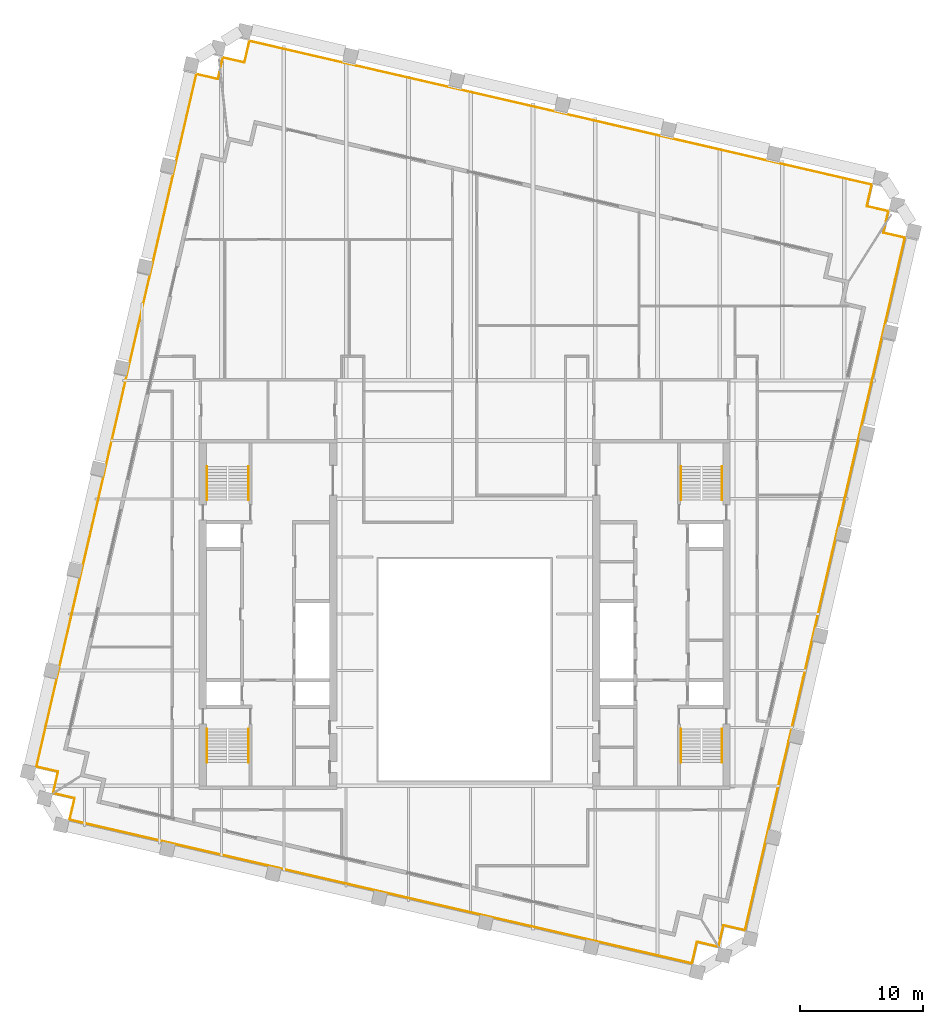
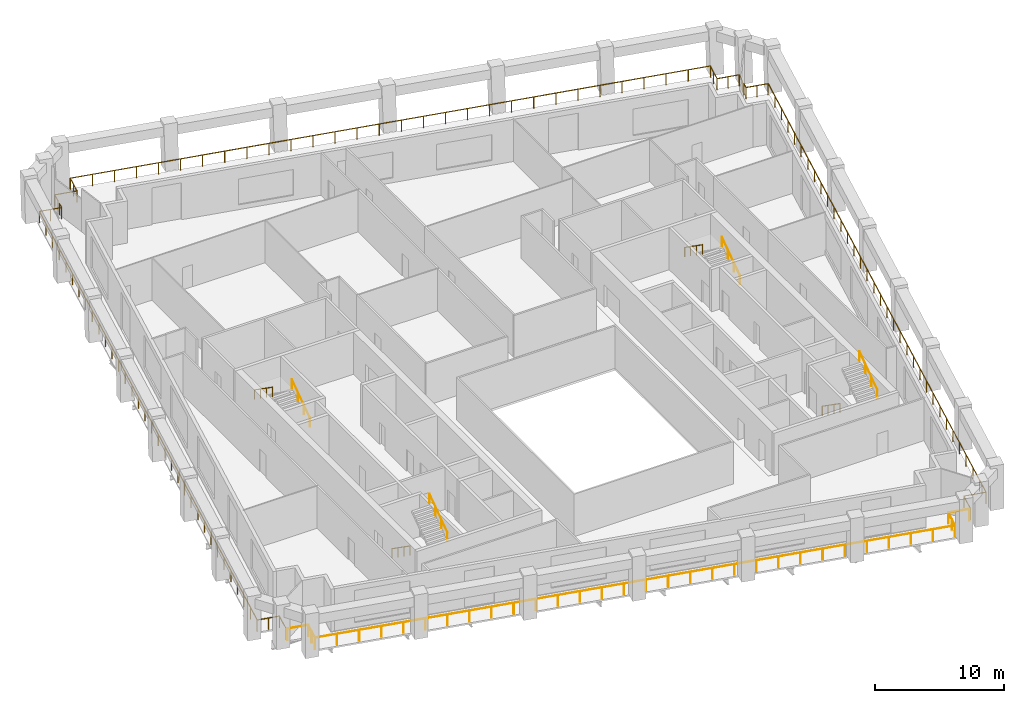
# One storey, part 9 of 9: 12 railings.
"""IFC4 building model written with IfcOpenShell, lengths in metres."""

from ifc_helpers import new_model, si_unit, direction, frame, origin, origin_2d, place, context, subcontext, project, spatial, circle, extrude, material, type_object, element, save


model = new_model("IFC4")

# Units and contexts
model_context = context("Model", 3, precision=1e-05, world=origin(), true_north=direction((0.0, 1.0)))
body_context = subcontext(model_context, "Body", "Model", "MODEL_VIEW")
ifc_project = project(units=[si_unit("LENGTHUNIT", "METRE"), si_unit("AREAUNIT", "SQUARE_METRE"), si_unit("VOLUMEUNIT", "CUBIC_METRE"), si_unit("PLANEANGLEUNIT", "RADIAN"), si_unit("MASSUNIT", "GRAM", prefix="KILO")], contexts=[model_context])

# Site, building, storey
site_placement = place(None, origin())
site = spatial("IfcSite", under=ifc_project, at=site_placement, CompositionType="ELEMENT")
building_placement = place(site_placement, origin())
building = spatial("IfcBuilding", under=site, at=building_placement, Name="Ogive Exchange Tower", CompositionType="ELEMENT")
storey_placement = place(building_placement, frame((0.0, 0.0, 285.0)))
storey = spatial("IfcBuildingStorey", under=building, at=storey_placement, Name="L62", CompositionType="ELEMENT", Elevation=285.0)

# Railings
ifc_material_1 = material(Name="Stainless steel 316", Category="steel")
railing_type_1 = type_object("IfcRailingType", Name="Guard 1100 stainless steel and glass", PredefinedType="GUARDRAIL", material=ifc_material_1)
railing_1_placement = place(storey_placement, frame((20.560546875, -15.527099609375, -0.050048828125)))
element("IfcRailing", 1, at=railing_1_placement, inside=storey, type_object=railing_type_1, Name="Loggia guard 1", PredefinedType="GUARDRAIL", context=body_context, shape_type="SweptSolid", body=[
    extrude(circle(Radius=0.02392578125, at=origin_2d()), frame((0.0, 0.0, 1.076171875), z_axis=(-0.974396013545, 0.224838628327, 0.0), x_axis=(-0.224838628327, -0.974396013545, 0.0)), (0.0, 0.0, 1.0), 1.7080078125),
    extrude(circle(Radius=0.02392578125, at=origin_2d()), frame((-1.664306640625, 0.384033203125, 1.076171875), z_axis=(-0.224879318197, -0.974386623598, 0.0), x_axis=(0.974386623598, -0.224879318197, 0.0)), (0.0, 0.0, 1.0), 1.800048828125),
    extrude(circle(Radius=0.02392578125, at=origin_2d()), frame((-2.069091796875, -1.369873046875, 1.076171875), z_axis=(-0.974370126852, 0.224950785504, 0.0), x_axis=(-0.224950785504, -0.974370126852, 0.0)), (0.0, 0.0, 1.0), 51.960205078125),
    extrude(circle(Radius=0.02392578125, at=origin_2d()), frame((-52.697509765625, 10.318603515625, 1.076171875), z_axis=(0.225008086135, 0.974356896201, 0.0), x_axis=(-0.974356896201, 0.225008086135, 0.0)), (0.0, 0.0, 1.0), 1.800048828125),
    extrude(circle(Radius=0.02392578125, at=origin_2d()), frame((-52.29248046875, 12.072509765625, 1.076171875), z_axis=(-0.974364690374, 0.224974332206, 0.0), x_axis=(-0.224974332206, -0.974364690374, 0.0)), (0.0, 0.0, 1.0), 1.7080078125),
    extrude(circle(Radius=0.02099609375, at=origin_2d()), origin(), (0.0, 0.0, 1.0), 1.052001953125),
    extrude(circle(Radius=0.02099609375, at=origin_2d()), frame((-1.664306640625, 0.384033203125, 0.0)), (0.0, 0.0, 1.0), 1.052001953125),
    extrude(circle(Radius=0.02099609375, at=origin_2d()), frame((-1.86669921875, -0.492919921875, 0.0)), (0.0, 0.0, 1.0), 1.052001953125),
    extrude(circle(Radius=0.02099609375, at=origin_2d()), frame((-2.069091796875, -1.369873046875, 0.0)), (0.0, 0.0, 1.0), 1.052001953125),
    extrude(circle(Radius=0.02099609375, at=origin_2d()), frame((-3.81494140625, -0.966796875, 0.0)), (0.0, 0.0, 1.0), 1.052001953125),
    extrude(circle(Radius=0.02099609375, at=origin_2d()), frame((-5.560791015625, -0.563720703125, 0.0)), (0.0, 0.0, 1.0), 1.052001953125),
    extrude(circle(Radius=0.02099609375, at=origin_2d()), frame((-7.306396484375, -0.16064453125, 0.0)), (0.0, 0.0, 1.0), 1.052001953125),
    extrude(circle(Radius=0.02099609375, at=origin_2d()), frame((-9.05224609375, 0.242431640625, 0.0)), (0.0, 0.0, 1.0), 1.052001953125),
    extrude(circle(Radius=0.02099609375, at=origin_2d()), frame((-10.798095703125, 0.645263671875, 0.0)), (0.0, 0.0, 1.0), 1.052001953125),
    extrude(circle(Radius=0.02099609375, at=origin_2d()), frame((-12.5439453125, 1.04833984375, 0.0)), (0.0, 0.0, 1.0), 1.052001953125),
    extrude(circle(Radius=0.02099609375, at=origin_2d()), frame((-14.289794921875, 1.451416015625, 0.0)), (0.0, 0.0, 1.0), 1.052001953125),
    extrude(circle(Radius=0.02099609375, at=origin_2d()), frame((-16.03564453125, 1.8544921875, 0.0)), (0.0, 0.0, 1.0), 1.052001953125),
    extrude(circle(Radius=0.02099609375, at=origin_2d()), frame((-17.78125, 2.257568359375, 0.0)), (0.0, 0.0, 1.0), 1.052001953125),
    extrude(circle(Radius=0.02099609375, at=origin_2d()), frame((-19.527099609375, 2.66064453125, 0.0)), (0.0, 0.0, 1.0), 1.052001953125),
    extrude(circle(Radius=0.02099609375, at=origin_2d()), frame((-21.27294921875, 3.063720703125, 0.0)), (0.0, 0.0, 1.0), 1.052001953125),
    extrude(circle(Radius=0.02099609375, at=origin_2d()), frame((-23.018798828125, 3.466796875, 0.0)), (0.0, 0.0, 1.0), 1.052001953125),
    extrude(circle(Radius=0.02099609375, at=origin_2d()), frame((-24.7646484375, 3.869873046875, 0.0)), (0.0, 0.0, 1.0), 1.052001953125),
    extrude(circle(Radius=0.02099609375, at=origin_2d()), frame((-26.510498046875, 4.27294921875, 0.0)), (0.0, 0.0, 1.0), 1.052001953125),
    extrude(circle(Radius=0.02099609375, at=origin_2d()), frame((-28.256103515625, 4.67578125, 0.0)), (0.0, 0.0, 1.0), 1.052001953125),
    extrude(circle(Radius=0.02099609375, at=origin_2d()), frame((-30.001953125, 5.078857421875, 0.0)), (0.0, 0.0, 1.0), 1.052001953125),
    extrude(circle(Radius=0.02099609375, at=origin_2d()), frame((-31.747802734375, 5.48193359375, 0.0)), (0.0, 0.0, 1.0), 1.052001953125),
    extrude(circle(Radius=0.02099609375, at=origin_2d()), frame((-33.49365234375, 5.885009765625, 0.0)), (0.0, 0.0, 1.0), 1.052001953125),
    extrude(circle(Radius=0.02099609375, at=origin_2d()), frame((-35.239501953125, 6.2880859375, 0.0)), (0.0, 0.0, 1.0), 1.052001953125),
    extrude(circle(Radius=0.02099609375, at=origin_2d()), frame((-36.9853515625, 6.691162109375, 0.0)), (0.0, 0.0, 1.0), 1.052001953125),
    extrude(circle(Radius=0.02099609375, at=origin_2d()), frame((-38.73095703125, 7.09423828125, 0.0)), (0.0, 0.0, 1.0), 1.052001953125),
    extrude(circle(Radius=0.02099609375, at=origin_2d()), frame((-40.476806640625, 7.497314453125, 0.0)), (0.0, 0.0, 1.0), 1.052001953125),
    extrude(circle(Radius=0.02099609375, at=origin_2d()), frame((-42.22265625, 7.900390625, 0.0)), (0.0, 0.0, 1.0), 1.052001953125),
    extrude(circle(Radius=0.02099609375, at=origin_2d()), frame((-43.968505859375, 8.303466796875, 0.0)), (0.0, 0.0, 1.0), 1.052001953125),
    extrude(circle(Radius=0.02099609375, at=origin_2d()), frame((-45.71435546875, 8.706298828125, 0.0)), (0.0, 0.0, 1.0), 1.052001953125),
    extrude(circle(Radius=0.02099609375, at=origin_2d()), frame((-47.460205078125, 9.109375, 0.0)), (0.0, 0.0, 1.0), 1.052001953125),
    extrude(circle(Radius=0.02099609375, at=origin_2d()), frame((-49.205810546875, 9.512451171875, 0.0)), (0.0, 0.0, 1.0), 1.052001953125),
    extrude(circle(Radius=0.02099609375, at=origin_2d()), frame((-50.95166015625, 9.91552734375, 0.0)), (0.0, 0.0, 1.0), 1.052001953125),
    extrude(circle(Radius=0.02099609375, at=origin_2d()), frame((-52.697509765625, 10.318603515625, 0.0)), (0.0, 0.0, 1.0), 1.052001953125),
    extrude(circle(Radius=0.02099609375, at=origin_2d()), frame((-52.4951171875, 11.195556640625, 0.0)), (0.0, 0.0, 1.0), 1.052001953125),
    extrude(circle(Radius=0.02099609375, at=origin_2d()), frame((-52.29248046875, 12.072509765625, 0.0)), (0.0, 0.0, 1.0), 1.052001953125),
    extrude(circle(Radius=0.02099609375, at=origin_2d()), frame((-53.956787109375, 12.456787109375, 0.0)), (0.0, 0.0, 1.0), 1.052001953125),
])
railing_2_placement = place(storey_placement, frame((-33.465087890625, -2.960205078125, -0.050048828125)))
element("IfcRailing", 2, at=railing_2_placement, inside=storey, type_object=railing_type_1, Name="Loggia guard 2", PredefinedType="GUARDRAIL", context=body_context, shape_type="SweptSolid", body=[
    extrude(circle(Radius=0.02392578125, at=origin_2d()), frame((0.0, 0.0, 1.076171875), z_axis=(0.224974332206, 0.974364690374, 0.0), x_axis=(-0.974364690374, 0.224974332206, 0.0)), (0.0, 0.0, 1.0), 1.7080078125),
    extrude(circle(Radius=0.02392578125, at=origin_2d()), frame((0.38427734375, 1.664306640625, 1.076171875), z_axis=(-0.974356896201, 0.225008086135, 0.0), x_axis=(-0.225008086135, -0.974356896201, 0.0)), (0.0, 0.0, 1.0), 1.800048828125),
    extrude(circle(Radius=0.02392578125, at=origin_2d()), frame((-1.36962890625, 2.0693359375, 1.076171875), z_axis=(0.224948621949, 0.974370626345, 0.0), x_axis=(-0.974370626345, 0.224948621949, 0.0)), (0.0, 0.0, 1.0), 57.823486328125),
    extrude(circle(Radius=0.02392578125, at=origin_2d()), frame((11.6376953125, 58.410888671875, 1.076171875), z_axis=(0.974386623598, -0.224879318197, 0.0), x_axis=(0.224879318197, 0.974386623598, 0.0)), (0.0, 0.0, 1.0), 1.800048828125),
    extrude(circle(Radius=0.02392578125, at=origin_2d()), frame((13.3916015625, 58.006103515625, 1.076171875), z_axis=(0.225141375738, 0.97432610605, 0.0), x_axis=(-0.97432610605, 0.225141375738, 0.0)), (0.0, 0.0, 1.0), 0.5693359375),
    extrude(circle(Radius=0.02099609375, at=origin_2d()), origin(), (0.0, 0.0, 1.0), 1.052001953125),
    extrude(circle(Radius=0.02099609375, at=origin_2d()), frame((0.38427734375, 1.664306640625, 0.0)), (0.0, 0.0, 1.0), 1.052001953125),
    extrude(circle(Radius=0.02099609375, at=origin_2d()), frame((-0.49267578125, 1.86669921875, 0.0)), (0.0, 0.0, 1.0), 1.052001953125),
    extrude(circle(Radius=0.02099609375, at=origin_2d()), frame((-1.36962890625, 2.0693359375, 0.0)), (0.0, 0.0, 1.0), 1.052001953125),
    extrude(circle(Radius=0.02099609375, at=origin_2d()), frame((-0.9755859375, 3.776611328125, 0.0)), (0.0, 0.0, 1.0), 1.052001953125),
    extrude(circle(Radius=0.02099609375, at=origin_2d()), frame((-0.581298828125, 5.48388671875, 0.0)), (0.0, 0.0, 1.0), 1.052001953125),
    extrude(circle(Radius=0.02099609375, at=origin_2d()), frame((-0.187255859375, 7.19140625, 0.0)), (0.0, 0.0, 1.0), 1.052001953125),
    extrude(circle(Radius=0.02099609375, at=origin_2d()), frame((0.20703125, 8.898681640625, 0.0)), (0.0, 0.0, 1.0), 1.052001953125),
    extrude(circle(Radius=0.02099609375, at=origin_2d()), frame((0.60107421875, 10.60595703125, 0.0)), (0.0, 0.0, 1.0), 1.052001953125),
    extrude(circle(Radius=0.02099609375, at=origin_2d()), frame((0.995361328125, 12.313232421875, 0.0)), (0.0, 0.0, 1.0), 1.052001953125),
    extrude(circle(Radius=0.02099609375, at=origin_2d()), frame((1.389404296875, 14.0205078125, 0.0)), (0.0, 0.0, 1.0), 1.052001953125),
    extrude(circle(Radius=0.02099609375, at=origin_2d()), frame((1.78369140625, 15.727783203125, 0.0)), (0.0, 0.0, 1.0), 1.052001953125),
    extrude(circle(Radius=0.02099609375, at=origin_2d()), frame((2.177734375, 17.435302734375, 0.0)), (0.0, 0.0, 1.0), 1.052001953125),
    extrude(circle(Radius=0.02099609375, at=origin_2d()), frame((2.572021484375, 19.142578125, 0.0)), (0.0, 0.0, 1.0), 1.052001953125),
    extrude(circle(Radius=0.02099609375, at=origin_2d()), frame((2.966064453125, 20.849853515625, 0.0)), (0.0, 0.0, 1.0), 1.052001953125),
    extrude(circle(Radius=0.02099609375, at=origin_2d()), frame((3.3603515625, 22.55712890625, 0.0)), (0.0, 0.0, 1.0), 1.052001953125),
    extrude(circle(Radius=0.02099609375, at=origin_2d()), frame((3.75439453125, 24.264404296875, 0.0)), (0.0, 0.0, 1.0), 1.052001953125),
    extrude(circle(Radius=0.02099609375, at=origin_2d()), frame((4.148681640625, 25.971923828125, 0.0)), (0.0, 0.0, 1.0), 1.052001953125),
    extrude(circle(Radius=0.02099609375, at=origin_2d()), frame((4.542724609375, 27.67919921875, 0.0)), (0.0, 0.0, 1.0), 1.052001953125),
    extrude(circle(Radius=0.02099609375, at=origin_2d()), frame((4.93701171875, 29.386474609375, 0.0)), (0.0, 0.0, 1.0), 1.052001953125),
    extrude(circle(Radius=0.02099609375, at=origin_2d()), frame((5.3310546875, 31.09375, 0.0)), (0.0, 0.0, 1.0), 1.052001953125),
    extrude(circle(Radius=0.02099609375, at=origin_2d()), frame((5.725341796875, 32.801025390625, 0.0)), (0.0, 0.0, 1.0), 1.052001953125),
    extrude(circle(Radius=0.02099609375, at=origin_2d()), frame((6.119384765625, 34.50830078125, 0.0)), (0.0, 0.0, 1.0), 1.052001953125),
    extrude(circle(Radius=0.02099609375, at=origin_2d()), frame((6.513671875, 36.2158203125, 0.0)), (0.0, 0.0, 1.0), 1.052001953125),
    extrude(circle(Radius=0.02099609375, at=origin_2d()), frame((6.90771484375, 37.923095703125, 0.0)), (0.0, 0.0, 1.0), 1.052001953125),
    extrude(circle(Radius=0.02099609375, at=origin_2d()), frame((7.302001953125, 39.63037109375, 0.0)), (0.0, 0.0, 1.0), 1.052001953125),
    extrude(circle(Radius=0.02099609375, at=origin_2d()), frame((7.696044921875, 41.337646484375, 0.0)), (0.0, 0.0, 1.0), 1.052001953125),
    extrude(circle(Radius=0.02099609375, at=origin_2d()), frame((8.09033203125, 43.044921875, 0.0)), (0.0, 0.0, 1.0), 1.052001953125),
    extrude(circle(Radius=0.02099609375, at=origin_2d()), frame((8.484375, 44.75244140625, 0.0)), (0.0, 0.0, 1.0), 1.052001953125),
    extrude(circle(Radius=0.02099609375, at=origin_2d()), frame((8.878662109375, 46.459716796875, 0.0)), (0.0, 0.0, 1.0), 1.052001953125),
    extrude(circle(Radius=0.02099609375, at=origin_2d()), frame((9.272705078125, 48.1669921875, 0.0)), (0.0, 0.0, 1.0), 1.052001953125),
    extrude(circle(Radius=0.02099609375, at=origin_2d()), frame((9.6669921875, 49.874267578125, 0.0)), (0.0, 0.0, 1.0), 1.052001953125),
    extrude(circle(Radius=0.02099609375, at=origin_2d()), frame((10.06103515625, 51.58154296875, 0.0)), (0.0, 0.0, 1.0), 1.052001953125),
    extrude(circle(Radius=0.02099609375, at=origin_2d()), frame((10.455322265625, 53.288818359375, 0.0)), (0.0, 0.0, 1.0), 1.052001953125),
    extrude(circle(Radius=0.02099609375, at=origin_2d()), frame((10.849365234375, 54.996337890625, 0.0)), (0.0, 0.0, 1.0), 1.052001953125),
    extrude(circle(Radius=0.02099609375, at=origin_2d()), frame((11.24365234375, 56.70361328125, 0.0)), (0.0, 0.0, 1.0), 1.052001953125),
    extrude(circle(Radius=0.02099609375, at=origin_2d()), frame((11.6376953125, 58.410888671875, 0.0)), (0.0, 0.0, 1.0), 1.052001953125),
    extrude(circle(Radius=0.02099609375, at=origin_2d()), frame((12.5146484375, 58.20849609375, 0.0)), (0.0, 0.0, 1.0), 1.052001953125),
    extrude(circle(Radius=0.02099609375, at=origin_2d()), frame((13.3916015625, 58.006103515625, 0.0)), (0.0, 0.0, 1.0), 1.052001953125),
    extrude(circle(Radius=0.02099609375, at=origin_2d()), frame((13.519775390625, 58.560791015625, 0.0)), (0.0, 0.0, 1.0), 1.052001953125),
])
railing_3_placement = place(storey_placement, frame((-19.85791015625, 55.979248046875, -0.050048828125)))
element("IfcRailing", 3, at=railing_3_placement, inside=storey, type_object=railing_type_1, Name="Loggia guard 3", PredefinedType="GUARDRAIL", context=body_context, shape_type="SweptSolid", body=[
    extrude(circle(Radius=0.02392578125, at=origin_2d()), frame((0.0, 0.0, 1.076171875), z_axis=(0.224965369128, 0.974366759846, 0.0), x_axis=(-0.974366759846, 0.224965369128, 0.0)), (0.0, 0.0, 1.0), 0.842041015625),
    extrude(circle(Radius=0.02392578125, at=origin_2d()), frame((0.189453125, 0.820556640625, 1.076171875), z_axis=(0.974350028141, -0.22503782496, 0.0), x_axis=(0.22503782496, 0.974350028141, 0.0)), (0.0, 0.0, 1.0), 1.7998046875),
    extrude(circle(Radius=0.02392578125, at=origin_2d()), frame((1.943115234375, 0.41552734375, 1.076171875), z_axis=(0.225008086135, 0.974356896201, 0.0), x_axis=(-0.974356896201, 0.225008086135, 0.0)), (0.0, 0.0, 1.0), 1.800048828125),
    extrude(circle(Radius=0.02392578125, at=origin_2d()), frame((2.34814453125, 2.16943359375, 1.076171875), z_axis=(0.974369889087, -0.224951815376, 0.0), x_axis=(0.224951815376, 0.974369889087, 0.0)), (0.0, 0.0, 1.0), 51.9599609375),
    extrude(circle(Radius=0.02392578125, at=origin_2d()), frame((52.976318359375, -9.51904296875, 1.076171875), z_axis=(-0.224879318197, -0.974386623598, 0.0), x_axis=(0.974386623598, -0.224879318197, 0.0)), (0.0, 0.0, 1.0), 1.800048828125),
    extrude(circle(Radius=0.02392578125, at=origin_2d()), frame((52.571533203125, -11.27294921875, 1.076171875), z_axis=(0.974386623598, -0.224879318197, 0.0), x_axis=(0.224879318197, 0.974386623598, 0.0)), (0.0, 0.0, 1.0), 1.800048828125),
    extrude(circle(Radius=0.02392578125, at=origin_2d()), frame((54.325439453125, -11.677734375, 1.076171875), z_axis=(-0.224965369128, -0.974366759846, 0.0), x_axis=(0.974366759846, -0.224965369128, 0.0)), (0.0, 0.0, 1.0), 0.842041015625),
    extrude(circle(Radius=0.02099609375, at=origin_2d()), origin(), (0.0, 0.0, 1.0), 1.052001953125),
    extrude(circle(Radius=0.02099609375, at=origin_2d()), frame((0.189453125, 0.820556640625, 0.0)), (0.0, 0.0, 1.0), 1.052001953125),
    extrude(circle(Radius=0.02099609375, at=origin_2d()), frame((1.943115234375, 0.41552734375, 0.0)), (0.0, 0.0, 1.0), 1.052001953125),
    extrude(circle(Radius=0.02099609375, at=origin_2d()), frame((2.1455078125, 1.29248046875, 0.0)), (0.0, 0.0, 1.0), 1.052001953125),
    extrude(circle(Radius=0.02099609375, at=origin_2d()), frame((2.34814453125, 2.16943359375, 0.0)), (0.0, 0.0, 1.0), 1.052001953125),
    extrude(circle(Radius=0.02099609375, at=origin_2d()), frame((4.093994140625, 1.766357421875, 0.0)), (0.0, 0.0, 1.0), 1.052001953125),
    extrude(circle(Radius=0.02099609375, at=origin_2d()), frame((5.83984375, 1.36328125, 0.0)), (0.0, 0.0, 1.0), 1.052001953125),
    extrude(circle(Radius=0.02099609375, at=origin_2d()), frame((7.58544921875, 0.960205078125, 0.0)), (0.0, 0.0, 1.0), 1.052001953125),
    extrude(circle(Radius=0.02099609375, at=origin_2d()), frame((9.331298828125, 0.55712890625, 0.0)), (0.0, 0.0, 1.0), 1.052001953125),
    extrude(circle(Radius=0.02099609375, at=origin_2d()), frame((11.0771484375, 0.154296875, 0.0)), (0.0, 0.0, 1.0), 1.052001953125),
    extrude(circle(Radius=0.02099609375, at=origin_2d()), frame((12.822998046875, -0.248779296875, 0.0)), (0.0, 0.0, 1.0), 1.052001953125),
    extrude(circle(Radius=0.02099609375, at=origin_2d()), frame((14.56884765625, -0.65185546875, 0.0)), (0.0, 0.0, 1.0), 1.052001953125),
    extrude(circle(Radius=0.02099609375, at=origin_2d()), frame((16.314453125, -1.054931640625, 0.0)), (0.0, 0.0, 1.0), 1.052001953125),
    extrude(circle(Radius=0.02099609375, at=origin_2d()), frame((18.060302734375, -1.4580078125, 0.0)), (0.0, 0.0, 1.0), 1.052001953125),
    extrude(circle(Radius=0.02099609375, at=origin_2d()), frame((19.80615234375, -1.861083984375, 0.0)), (0.0, 0.0, 1.0), 1.052001953125),
    extrude(circle(Radius=0.02099609375, at=origin_2d()), frame((21.552001953125, -2.26416015625, 0.0)), (0.0, 0.0, 1.0), 1.052001953125),
    extrude(circle(Radius=0.02099609375, at=origin_2d()), frame((23.2978515625, -2.667236328125, 0.0)), (0.0, 0.0, 1.0), 1.052001953125),
    extrude(circle(Radius=0.02099609375, at=origin_2d()), frame((25.04345703125, -3.0703125, 0.0)), (0.0, 0.0, 1.0), 1.052001953125),
    extrude(circle(Radius=0.02099609375, at=origin_2d()), frame((26.789306640625, -3.473388671875, 0.0)), (0.0, 0.0, 1.0), 1.052001953125),
    extrude(circle(Radius=0.02099609375, at=origin_2d()), frame((28.53515625, -3.876220703125, 0.0)), (0.0, 0.0, 1.0), 1.052001953125),
    extrude(circle(Radius=0.02099609375, at=origin_2d()), frame((30.281005859375, -4.279296875, 0.0)), (0.0, 0.0, 1.0), 1.052001953125),
    extrude(circle(Radius=0.02099609375, at=origin_2d()), frame((32.026611328125, -4.682373046875, 0.0)), (0.0, 0.0, 1.0), 1.052001953125),
    extrude(circle(Radius=0.02099609375, at=origin_2d()), frame((33.7724609375, -5.08544921875, 0.0)), (0.0, 0.0, 1.0), 1.052001953125),
    extrude(circle(Radius=0.02099609375, at=origin_2d()), frame((35.518310546875, -5.488525390625, 0.0)), (0.0, 0.0, 1.0), 1.052001953125),
    extrude(circle(Radius=0.02099609375, at=origin_2d()), frame((37.26416015625, -5.8916015625, 0.0)), (0.0, 0.0, 1.0), 1.052001953125),
    extrude(circle(Radius=0.02099609375, at=origin_2d()), frame((39.010009765625, -6.294677734375, 0.0)), (0.0, 0.0, 1.0), 1.052001953125),
    extrude(circle(Radius=0.02099609375, at=origin_2d()), frame((40.755615234375, -6.69775390625, 0.0)), (0.0, 0.0, 1.0), 1.052001953125),
    extrude(circle(Radius=0.02099609375, at=origin_2d()), frame((42.50146484375, -7.100830078125, 0.0)), (0.0, 0.0, 1.0), 1.052001953125),
    extrude(circle(Radius=0.02099609375, at=origin_2d()), frame((44.247314453125, -7.50390625, 0.0)), (0.0, 0.0, 1.0), 1.052001953125),
    extrude(circle(Radius=0.02099609375, at=origin_2d()), frame((45.9931640625, -7.90673828125, 0.0)), (0.0, 0.0, 1.0), 1.052001953125),
    extrude(circle(Radius=0.02099609375, at=origin_2d()), frame((47.739013671875, -8.309814453125, 0.0)), (0.0, 0.0, 1.0), 1.052001953125),
    extrude(circle(Radius=0.02099609375, at=origin_2d()), frame((49.484619140625, -8.712890625, 0.0)), (0.0, 0.0, 1.0), 1.052001953125),
    extrude(circle(Radius=0.02099609375, at=origin_2d()), frame((51.23046875, -9.115966796875, 0.0)), (0.0, 0.0, 1.0), 1.052001953125),
    extrude(circle(Radius=0.02099609375, at=origin_2d()), frame((52.976318359375, -9.51904296875, 0.0)), (0.0, 0.0, 1.0), 1.052001953125),
    extrude(circle(Radius=0.02099609375, at=origin_2d()), frame((52.77392578125, -10.39599609375, 0.0)), (0.0, 0.0, 1.0), 1.052001953125),
    extrude(circle(Radius=0.02099609375, at=origin_2d()), frame((52.571533203125, -11.27294921875, 0.0)), (0.0, 0.0, 1.0), 1.052001953125),
    extrude(circle(Radius=0.02099609375, at=origin_2d()), frame((53.448486328125, -11.475341796875, 0.0)), (0.0, 0.0, 1.0), 1.052001953125),
    extrude(circle(Radius=0.02099609375, at=origin_2d()), frame((54.325439453125, -11.677734375, 0.0)), (0.0, 0.0, 1.0), 1.052001953125),
    extrude(circle(Radius=0.02099609375, at=origin_2d()), frame((54.135986328125, -12.498291015625, 0.0)), (0.0, 0.0, 1.0), 1.052001953125),
])
railing_4_placement = place(storey_placement, frame((34.190673828125, 43.102294921875, -0.050048828125)))
element("IfcRailing", 4, at=railing_4_placement, inside=storey, type_object=railing_type_1, Name="Loggia guard 4", PredefinedType="GUARDRAIL", context=body_context, shape_type="SweptSolid", body=[
    extrude(circle(Radius=0.02392578125, at=origin_2d()), frame((0.0, 0.0, 1.076171875), z_axis=(-0.225141375738, -0.97432610605, 0.0), x_axis=(0.97432610605, -0.225141375738, 0.0)), (0.0, 0.0, 1.0), 0.5693359375),
    extrude(circle(Radius=0.02392578125, at=origin_2d()), frame((-0.128173828125, -0.5546875, 1.076171875), z_axis=(0.974356896201, -0.225008086135, 0.0), x_axis=(0.225008086135, 0.974356896201, 0.0)), (0.0, 0.0, 1.0), 1.800048828125),
    extrude(circle(Radius=0.02392578125, at=origin_2d()), frame((1.625732421875, -0.959716796875, 1.076171875), z_axis=(-0.224952630461, -0.974369700909, 0.0), x_axis=(0.974369700909, -0.224952630461, 0.0)), (0.0, 0.0, 1.0), 57.823486328125),
    extrude(circle(Radius=0.02392578125, at=origin_2d()), frame((-11.3818359375, -57.30126953125, 1.076171875), z_axis=(-0.974379763188, 0.224909041816, 0.0), x_axis=(-0.224909041816, -0.974379763188, 0.0)), (0.0, 0.0, 1.0), 1.7998046875),
    extrude(circle(Radius=0.02392578125, at=origin_2d()), frame((-13.135498046875, -56.896484375, 1.076171875), z_axis=(-0.224974332206, -0.974364690374, 0.0), x_axis=(0.974364690374, -0.224974332206, 0.0)), (0.0, 0.0, 1.0), 1.7080078125),
    extrude(circle(Radius=0.02099609375, at=origin_2d()), origin(), (0.0, 0.0, 1.0), 1.052001953125),
    extrude(circle(Radius=0.02099609375, at=origin_2d()), frame((-0.128173828125, -0.5546875, 0.0)), (0.0, 0.0, 1.0), 1.052001953125),
    extrude(circle(Radius=0.02099609375, at=origin_2d()), frame((0.748779296875, -0.75732421875, 0.0)), (0.0, 0.0, 1.0), 1.052001953125),
    extrude(circle(Radius=0.02099609375, at=origin_2d()), frame((1.625732421875, -0.959716796875, 0.0)), (0.0, 0.0, 1.0), 1.052001953125),
    extrude(circle(Radius=0.02099609375, at=origin_2d()), frame((1.2314453125, -2.6669921875, 0.0)), (0.0, 0.0, 1.0), 1.052001953125),
    extrude(circle(Radius=0.02099609375, at=origin_2d()), frame((0.83740234375, -4.374267578125, 0.0)), (0.0, 0.0, 1.0), 1.052001953125),
    extrude(circle(Radius=0.02099609375, at=origin_2d()), frame((0.443115234375, -6.081787109375, 0.0)), (0.0, 0.0, 1.0), 1.052001953125),
    extrude(circle(Radius=0.02099609375, at=origin_2d()), frame((0.049072265625, -7.7890625, 0.0)), (0.0, 0.0, 1.0), 1.052001953125),
    extrude(circle(Radius=0.02099609375, at=origin_2d()), frame((-0.34521484375, -9.496337890625, 0.0)), (0.0, 0.0, 1.0), 1.052001953125),
    extrude(circle(Radius=0.02099609375, at=origin_2d()), frame((-0.7392578125, -11.20361328125, 0.0)), (0.0, 0.0, 1.0), 1.052001953125),
    extrude(circle(Radius=0.02099609375, at=origin_2d()), frame((-1.133544921875, -12.910888671875, 0.0)), (0.0, 0.0, 1.0), 1.052001953125),
    extrude(circle(Radius=0.02099609375, at=origin_2d()), frame((-1.527587890625, -14.6181640625, 0.0)), (0.0, 0.0, 1.0), 1.052001953125),
    extrude(circle(Radius=0.02099609375, at=origin_2d()), frame((-1.921875, -16.32568359375, 0.0)), (0.0, 0.0, 1.0), 1.052001953125),
    extrude(circle(Radius=0.02099609375, at=origin_2d()), frame((-2.31591796875, -18.032958984375, 0.0)), (0.0, 0.0, 1.0), 1.052001953125),
    extrude(circle(Radius=0.02099609375, at=origin_2d()), frame((-2.710205078125, -19.740234375, 0.0)), (0.0, 0.0, 1.0), 1.052001953125),
    extrude(circle(Radius=0.02099609375, at=origin_2d()), frame((-3.104248046875, -21.447509765625, 0.0)), (0.0, 0.0, 1.0), 1.052001953125),
    extrude(circle(Radius=0.02099609375, at=origin_2d()), frame((-3.49853515625, -23.15478515625, 0.0)), (0.0, 0.0, 1.0), 1.052001953125),
    extrude(circle(Radius=0.02099609375, at=origin_2d()), frame((-3.892578125, -24.8623046875, 0.0)), (0.0, 0.0, 1.0), 1.052001953125),
    extrude(circle(Radius=0.02099609375, at=origin_2d()), frame((-4.286865234375, -26.569580078125, 0.0)), (0.0, 0.0, 1.0), 1.052001953125),
    extrude(circle(Radius=0.02099609375, at=origin_2d()), frame((-4.680908203125, -28.27685546875, 0.0)), (0.0, 0.0, 1.0), 1.052001953125),
    extrude(circle(Radius=0.02099609375, at=origin_2d()), frame((-5.0751953125, -29.984130859375, 0.0)), (0.0, 0.0, 1.0), 1.052001953125),
    extrude(circle(Radius=0.02099609375, at=origin_2d()), frame((-5.46923828125, -31.69140625, 0.0)), (0.0, 0.0, 1.0), 1.052001953125),
    extrude(circle(Radius=0.02099609375, at=origin_2d()), frame((-5.863525390625, -33.398681640625, 0.0)), (0.0, 0.0, 1.0), 1.052001953125),
    extrude(circle(Radius=0.02099609375, at=origin_2d()), frame((-6.257568359375, -35.106201171875, 0.0)), (0.0, 0.0, 1.0), 1.052001953125),
    extrude(circle(Radius=0.02099609375, at=origin_2d()), frame((-6.65185546875, -36.8134765625, 0.0)), (0.0, 0.0, 1.0), 1.052001953125),
    extrude(circle(Radius=0.02099609375, at=origin_2d()), frame((-7.0458984375, -38.520751953125, 0.0)), (0.0, 0.0, 1.0), 1.052001953125),
    extrude(circle(Radius=0.02099609375, at=origin_2d()), frame((-7.440185546875, -40.22802734375, 0.0)), (0.0, 0.0, 1.0), 1.052001953125),
    extrude(circle(Radius=0.02099609375, at=origin_2d()), frame((-7.834228515625, -41.935302734375, 0.0)), (0.0, 0.0, 1.0), 1.052001953125),
    extrude(circle(Radius=0.02099609375, at=origin_2d()), frame((-8.228515625, -43.642822265625, 0.0)), (0.0, 0.0, 1.0), 1.052001953125),
    extrude(circle(Radius=0.02099609375, at=origin_2d()), frame((-8.62255859375, -45.35009765625, 0.0)), (0.0, 0.0, 1.0), 1.052001953125),
    extrude(circle(Radius=0.02099609375, at=origin_2d()), frame((-9.016845703125, -47.057373046875, 0.0)), (0.0, 0.0, 1.0), 1.052001953125),
    extrude(circle(Radius=0.02099609375, at=origin_2d()), frame((-9.410888671875, -48.7646484375, 0.0)), (0.0, 0.0, 1.0), 1.052001953125),
    extrude(circle(Radius=0.02099609375, at=origin_2d()), frame((-9.80517578125, -50.471923828125, 0.0)), (0.0, 0.0, 1.0), 1.052001953125),
    extrude(circle(Radius=0.02099609375, at=origin_2d()), frame((-10.19921875, -52.17919921875, 0.0)), (0.0, 0.0, 1.0), 1.052001953125),
    extrude(circle(Radius=0.02099609375, at=origin_2d()), frame((-10.593505859375, -53.88671875, 0.0)), (0.0, 0.0, 1.0), 1.052001953125),
    extrude(circle(Radius=0.02099609375, at=origin_2d()), frame((-10.987548828125, -55.593994140625, 0.0)), (0.0, 0.0, 1.0), 1.052001953125),
    extrude(circle(Radius=0.02099609375, at=origin_2d()), frame((-11.3818359375, -57.30126953125, 0.0)), (0.0, 0.0, 1.0), 1.052001953125),
    extrude(circle(Radius=0.02099609375, at=origin_2d()), frame((-13.135498046875, -56.896484375, 0.0)), (0.0, 0.0, 1.0), 1.052001953125),
    extrude(circle(Radius=0.02099609375, at=origin_2d()), frame((-13.519775390625, -58.560791015625, 0.0)), (0.0, 0.0, 1.0), 1.052001953125),
])
ifc_material_2 = material(Name="Stainless steel", Category="steel")
railing_type_2 = type_object("IfcRailingType", Name="Stair handrail 900", PredefinedType="HANDRAIL", material=ifc_material_2)
railing_5_placement = place(storey_placement, frame((-20.949951171875, 2.199951171875, 0.175048828125)))
element("IfcRailing", 5, at=railing_5_placement, inside=storey, type_object=railing_type_2, Name="L62 ST1 stair handrail 1", PredefinedType="HANDRAIL", context=body_context, shape_type="SweptSolid", body=[
    extrude(circle(Radius=0.02392578125, at=origin_2d()), frame((0.0, 0.0, 0.8759765625), z_axis=(0.0, -0.819225086817, 0.573472106672), x_axis=(1.0, 0.0, 0.0)), (0.0, 0.0, 1.0), 3.35693359375),
    extrude(circle(Radius=0.02099609375, at=origin_2d()), origin(), (0.0, 0.0, 1.0), 0.851806640625),
    extrude(circle(Radius=0.02099609375, at=origin_2d()), frame((0.0, -0.916748046875, 0.6416015625)), (0.0, 0.0, 1.0), 0.851806640625),
    extrude(circle(Radius=0.02099609375, at=origin_2d()), frame((0.0, -1.833251953125, 1.283447265625)), (0.0, 0.0, 1.0), 0.851806640625),
    extrude(circle(Radius=0.02099609375, at=origin_2d()), frame((0.0, -2.75, 1.925048828125)), (0.0, 0.0, 1.0), 0.851806640625),
])
for number, where, name in (
    (6, (-17.60009765625, -0.550048828125, 2.27490234375), "L62 ST1 stair handrail 2"),
    (7, (-17.60009765625, 20.800048828125, 0.175048828125), "L62 ST2 stair handrail 1"),
):
    element("IfcRailing", number, at=place(storey_placement, frame(where)), inside=storey, type_object=railing_type_2, Name=name, PredefinedType="HANDRAIL", context=body_context, shape_type="SweptSolid", body=[
        extrude(circle(Radius=0.02392578125, at=origin_2d()), frame((0.0, 0.0, 0.8759765625), z_axis=(0.0, 0.819225086817, 0.573472106672), x_axis=(-1.0, 0.0, 0.0)), (0.0, 0.0, 1.0), 3.35693359375),
        extrude(circle(Radius=0.02099609375, at=origin_2d()), origin(), (0.0, 0.0, 1.0), 0.851806640625),
        extrude(circle(Radius=0.02099609375, at=origin_2d()), frame((0.0, 0.916748046875, 0.6416015625)), (0.0, 0.0, 1.0), 0.851806640625),
        extrude(circle(Radius=0.02099609375, at=origin_2d()), frame((0.0, 1.833251953125, 1.283447265625)), (0.0, 0.0, 1.0), 0.851806640625),
        extrude(circle(Radius=0.02099609375, at=origin_2d()), frame((0.0, 2.75, 1.925048828125)), (0.0, 0.0, 1.0), 0.851806640625),
    ])
for number, where, name in (
    (8, (-20.949951171875, 23.550048828125, 2.27490234375), "L62 ST2 stair handrail 2"),
    (9, (17.60009765625, 2.199951171875, 0.175048828125), "L62 ST3 stair handrail 1"),
):
    element("IfcRailing", number, at=place(storey_placement, frame(where)), inside=storey, type_object=railing_type_2, Name=name, PredefinedType="HANDRAIL", context=body_context, shape_type="SweptSolid", body=[
        extrude(circle(Radius=0.02392578125, at=origin_2d()), frame((0.0, 0.0, 0.8759765625), z_axis=(0.0, -0.819225086817, 0.573472106672), x_axis=(1.0, 0.0, 0.0)), (0.0, 0.0, 1.0), 3.35693359375),
        extrude(circle(Radius=0.02099609375, at=origin_2d()), origin(), (0.0, 0.0, 1.0), 0.851806640625),
        extrude(circle(Radius=0.02099609375, at=origin_2d()), frame((0.0, -0.916748046875, 0.6416015625)), (0.0, 0.0, 1.0), 0.851806640625),
        extrude(circle(Radius=0.02099609375, at=origin_2d()), frame((0.0, -1.833251953125, 1.283447265625)), (0.0, 0.0, 1.0), 0.851806640625),
        extrude(circle(Radius=0.02099609375, at=origin_2d()), frame((0.0, -2.75, 1.925048828125)), (0.0, 0.0, 1.0), 0.851806640625),
    ])
for number, where, name in (
    (10, (20.949951171875, -0.550048828125, 2.27490234375), "L62 ST3 stair handrail 2"),
    (11, (20.949951171875, 20.800048828125, 0.175048828125), "L62 ST4 stair handrail 1"),
):
    element("IfcRailing", number, at=place(storey_placement, frame(where)), inside=storey, type_object=railing_type_2, Name=name, PredefinedType="HANDRAIL", context=body_context, shape_type="SweptSolid", body=[
        extrude(circle(Radius=0.02392578125, at=origin_2d()), frame((0.0, 0.0, 0.8759765625), z_axis=(0.0, 0.819225086817, 0.573472106672), x_axis=(-1.0, 0.0, 0.0)), (0.0, 0.0, 1.0), 3.35693359375),
        extrude(circle(Radius=0.02099609375, at=origin_2d()), origin(), (0.0, 0.0, 1.0), 0.851806640625),
        extrude(circle(Radius=0.02099609375, at=origin_2d()), frame((0.0, 0.916748046875, 0.6416015625)), (0.0, 0.0, 1.0), 0.851806640625),
        extrude(circle(Radius=0.02099609375, at=origin_2d()), frame((0.0, 1.833251953125, 1.283447265625)), (0.0, 0.0, 1.0), 0.851806640625),
        extrude(circle(Radius=0.02099609375, at=origin_2d()), frame((0.0, 2.75, 1.925048828125)), (0.0, 0.0, 1.0), 0.851806640625),
    ])
railing_6_placement = place(storey_placement, frame((17.60009765625, 23.550048828125, 2.27490234375)))
element("IfcRailing", 12, at=railing_6_placement, inside=storey, type_object=railing_type_2, Name="L62 ST4 stair handrail 2", PredefinedType="HANDRAIL", context=body_context, shape_type="SweptSolid", body=[
    extrude(circle(Radius=0.02392578125, at=origin_2d()), frame((0.0, 0.0, 0.8759765625), z_axis=(0.0, -0.819225086817, 0.573472106672), x_axis=(1.0, 0.0, 0.0)), (0.0, 0.0, 1.0), 3.35693359375),
    extrude(circle(Radius=0.02099609375, at=origin_2d()), origin(), (0.0, 0.0, 1.0), 0.851806640625),
    extrude(circle(Radius=0.02099609375, at=origin_2d()), frame((0.0, -0.916748046875, 0.6416015625)), (0.0, 0.0, 1.0), 0.851806640625),
    extrude(circle(Radius=0.02099609375, at=origin_2d()), frame((0.0, -1.833251953125, 1.283447265625)), (0.0, 0.0, 1.0), 0.851806640625),
    extrude(circle(Radius=0.02099609375, at=origin_2d()), frame((0.0, -2.75, 1.925048828125)), (0.0, 0.0, 1.0), 0.851806640625),
])

save(model, "model.ifc")
